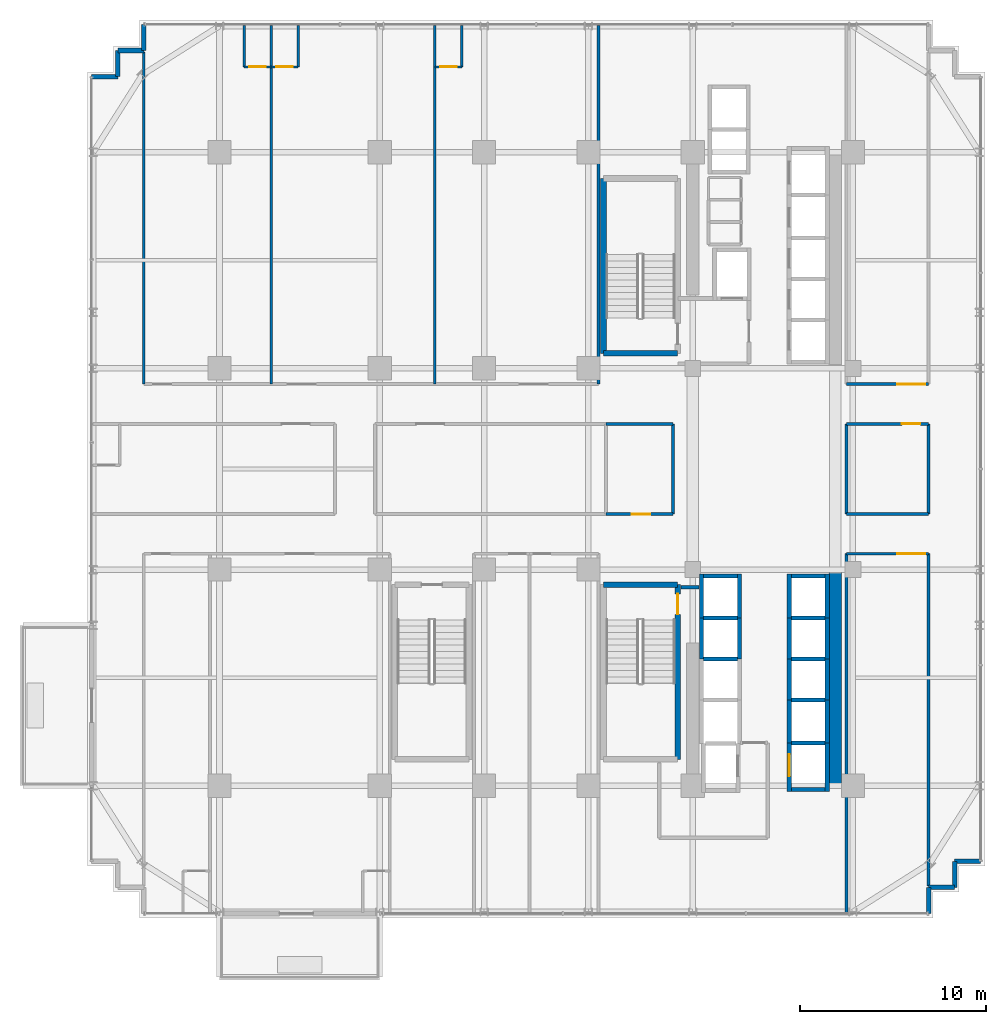
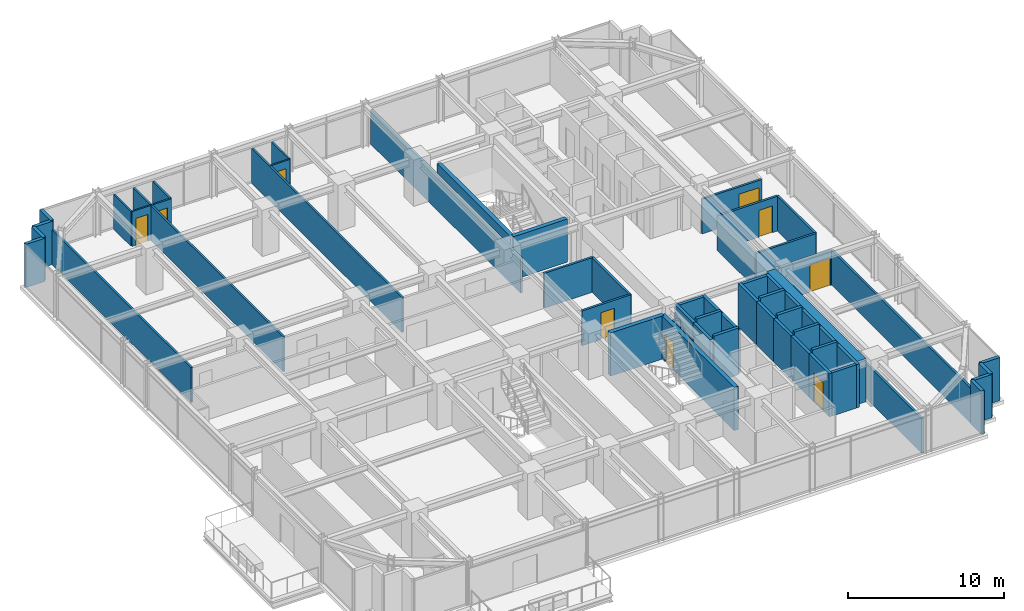
# One storey, part 27 of 32: 58 walls, 9 doors, 9 openings.
"""IFC4 building model written with IfcOpenShell, lengths in metres."""

import ifcopenshell
import ifcopenshell.guid

model = None  # the IFC model being written
_history = None  # IfcOwnerHistory: only IFC2X3 demands one
_inside = {}  # id of a spatial element -> (the spatial element, [elements in it])
_under = {}  # id of a project, library or spatial element -> (it, [spatial elements below it])
_declared = {}  # id of a project -> (the project, [libraries it declares])
_typed = {}  # id of a type object -> (the type object, [elements of that type])
_made_of = {}  # id of a material, layer set ... -> (it, [elements and type objects made of it])


def new_model(schema):
    """Start an empty IFC model of exactly this schema.

    Asked for "IFC4X3", IfcOpenShell would pick the latest addendum, in which some entities
    have other attributes; the version numbers below select the first issue.
    IFC2X3 requires an IfcOwnerHistory on every rooted entity: one is made here for all.
    """
    global model, _history
    if schema == "IFC4X3":
        model = ifcopenshell.file(schema_version=(4, 3, 0, 0))
    else:
        model = ifcopenshell.file(schema=schema)
    _inside.clear()
    _under.clear()
    _declared.clear()
    _typed.clear()
    _made_of.clear()
    _history = None
    if model.schema == "IFC2X3":
        org = make("IfcOrganization", Name="unknown")
        user = make(
            "IfcPersonAndOrganization",
            ThePerson=make("IfcPerson", FamilyName="unknown"),
            TheOrganization=org,
        )
        app = make(
            "IfcApplication",
            ApplicationDeveloper=org,
            Version="unknown",
            ApplicationFullName="unknown",
            ApplicationIdentifier="unknown",
        )
        _history = make(
            "IfcOwnerHistory",
            OwningUser=user,
            OwningApplication=app,
            ChangeAction="ADDED",
            CreationDate=0,
        )
    return model


def make(cls, **values):
    """One entity of the class cls with the attributes given. An attribute that is None is left unset."""
    return model.create_entity(
        cls, **{name: value for name, value in values.items() if value is not None}
    )


def rooted(cls, **values):
    """An entity with a GlobalId (a new one), such as an element, a storey or a relation."""
    return make(cls, GlobalId=ifcopenshell.guid.new(), OwnerHistory=_history, **values)


def si_unit(unit_type, name, prefix=None):
    """IfcSIUnit, for example si_unit("LENGTHUNIT", "METRE", prefix="MILLI")."""
    return make("IfcSIUnit", UnitType=unit_type, Prefix=prefix, Name=name)


def assignment(units):
    """IfcUnitAssignment: the units of a project."""
    return None if units is None else make("IfcUnitAssignment", Units=units)


def point(xyz):
    """IfcCartesianPoint."""
    return None if xyz is None else make("IfcCartesianPoint", Coordinates=xyz)


def direction(xyz):
    """IfcDirection."""
    return None if xyz is None else make("IfcDirection", DirectionRatios=xyz)


def frame(location, z_axis=None, x_axis=None):
    """IfcAxis2Placement3D, a coordinate frame: its origin and axes. An axis left out is left unset."""
    return make(
        "IfcAxis2Placement3D",
        Location=point(location),
        Axis=direction(z_axis),
        RefDirection=direction(x_axis),
    )


def frame_2d(location, x_axis=None):
    """IfcAxis2Placement2D, a coordinate frame in the plane: its origin and x axis."""
    return make(
        "IfcAxis2Placement2D", Location=point(location), RefDirection=direction(x_axis)
    )


def origin():
    """The frame at (0, 0, 0) with its axes left unset."""
    return frame((0.0, 0.0, 0.0))


def place(relative_to, where):
    """IfcLocalPlacement: puts the frame where relative to a parent placement (None: the world)."""
    return make(
        "IfcLocalPlacement", PlacementRelTo=relative_to, RelativePlacement=where
    )


def context(
    kind, dimensions, precision=None, world=None, true_north=None, identifier=None
):
    """IfcGeometricRepresentationContext, for example the 3D "Model" context."""
    return make(
        "IfcGeometricRepresentationContext",
        ContextIdentifier=identifier,
        ContextType=kind,
        CoordinateSpaceDimension=dimensions,
        Precision=precision,
        WorldCoordinateSystem=world,
        TrueNorth=true_north,
    )


def subcontext(parent, identifier, kind, view, scale=None):
    """IfcGeometricRepresentationSubContext, for example "Body" below "Model"."""
    return make(
        "IfcGeometricRepresentationSubContext",
        ContextIdentifier=identifier,
        ContextType=kind,
        ParentContext=parent,
        TargetScale=scale,
        TargetView=view,
    )


def project(units=None, contexts=None):
    """IfcProject with its units and contexts."""
    return rooted(
        "IfcProject",
        Name="project",
        RepresentationContexts=contexts,
        UnitsInContext=assignment(units),
    )


def spatial(cls, under=None, at=None, **own):
    """A site, building, storey or space (cls), placed at a placement, below another one or the project."""
    s = rooted(cls, ObjectPlacement=at, **own)
    if under is not None:
        _under.setdefault(under.id(), (under, []))[1].append(s)
    return s


def profile(cls, at=None, kind="AREA", **sizes):
    """A parametric profile (cls). Its sizes go by their IFC names, for example OverallWidth=200.0."""
    return make(cls, ProfileType=kind, Position=at, **sizes)


def rectangle(**sizes):
    """IfcRectangleProfileDef."""
    return profile("IfcRectangleProfileDef", **sizes)


def extrude(swept, where, along, depth):
    """IfcExtrudedAreaSolid: the profile swept, set in the frame where, extruded along a direction by depth."""
    return make(
        "IfcExtrudedAreaSolid",
        SweptArea=swept,
        Position=where,
        ExtrudedDirection=direction(along),
        Depth=depth,
    )


def shape(context_of_items, identifier, shape_type, items):
    """IfcShapeRepresentation: the items that make up one representation, for example the "Body"."""
    return make(
        "IfcShapeRepresentation",
        ContextOfItems=context_of_items,
        RepresentationIdentifier=identifier,
        RepresentationType=shape_type,
        Items=items,
    )


def source(mapping_origin, context_of_items, identifier, shape_type, items):
    """IfcRepresentationMap: a shape defined once, which mapped items show again and again."""
    return make(
        "IfcRepresentationMap",
        MappingOrigin=mapping_origin,
        MappedRepresentation=shape(context_of_items, identifier, shape_type, items),
    )


def transform(
    local_origin,
    x_axis=None,
    y_axis=None,
    z_axis=None,
    scale=None,
    scale2=None,
    scale3=None,
    uniform=True,
):
    """IfcCartesianTransformationOperator3D, or its non-uniform kind. x_axis, y_axis, z_axis: its Axis1, 2, 3."""
    if uniform:
        return make(
            "IfcCartesianTransformationOperator3D",
            Axis1=direction(x_axis),
            Axis2=direction(y_axis),
            LocalOrigin=point(local_origin),
            Scale=scale,
            Axis3=direction(z_axis),
        )
    return make(
        "IfcCartesianTransformationOperator3DnonUniform",
        Axis1=direction(x_axis),
        Axis2=direction(y_axis),
        LocalOrigin=point(local_origin),
        Scale=scale,
        Axis3=direction(z_axis),
        Scale2=scale2,
        Scale3=scale3,
    )


def mapped(mapping_source, mapping_target):
    """IfcMappedItem: shows the shape of a source again, moved by a transform."""
    return make(
        "IfcMappedItem", MappingSource=mapping_source, MappingTarget=mapping_target
    )


def material(Name=None, Category=None):
    """IfcMaterial."""
    return make("IfcMaterial", Name=Name, Category=Category)


def layer(
    of_material, thickness, ventilated=None, Name=None, Category=None, Priority=None
):
    """IfcMaterialLayer: one layer of a wall or slab, of a material (None: an air gap)."""
    return make(
        "IfcMaterialLayer",
        Material=of_material,
        LayerThickness=thickness,
        IsVentilated=ventilated,
        Name=Name,
        Category=Category,
        Priority=Priority,
    )


def layer_set(layers, Name=None):
    """IfcMaterialLayerSet."""
    return make("IfcMaterialLayerSet", MaterialLayers=layers, LayerSetName=Name)


def made_of(thing, what):
    """Note that an element or type object is made of a material, layer set ...; save() writes the relation."""
    if what is not None:
        _made_of.setdefault(what.id(), (what, []))[1].append(thing)
    return thing


def type_object(cls, material=None, **own):
    """A type object (cls), such as IfcWallType, which elements share."""
    return made_of(rooted(cls, **own), material)


def element(
    cls,
    number,
    at=None,
    inside=None,
    cuts=None,
    type_object=None,
    material=None,
    context=None,
    identifier="Body",
    shape_type=None,
    held_by="IfcProductDefinitionShape",
    body=None,
    shapes=None,
    **own,
):
    """One element of the class cls, such as IfcWall. Its Tag is "e" and its number.

    at: its placement. inside: the storey or other place that contains it. cuts: it is an
    opening in that element (IfcRelVoidsElement). A single representation is given by context,
    identifier, shape_type and body (its items); several are given by shapes. held_by: the class
    of the entity that holds the representations. save() writes the other relations.
    """
    e = rooted(cls, Tag="e%d" % number, ObjectPlacement=at, **own)
    if body is not None:
        shapes = [shape(context, identifier, shape_type, body)]
    if shapes is not None:
        e.Representation = make(held_by, Representations=shapes)
    if inside is not None:
        _inside.setdefault(inside.id(), (inside, []))[1].append(e)
    if cuts is not None:
        rooted(
            "IfcRelVoidsElement", RelatingBuildingElement=cuts, RelatedOpeningElement=e
        )
    if type_object is not None:
        _typed.setdefault(type_object.id(), (type_object, []))[1].append(e)
    return made_of(e, material)


def fill(opening, filler):
    """IfcRelFillsElement: the door or window that sits in an opening."""
    return rooted(
        "IfcRelFillsElement",
        RelatingOpeningElement=opening,
        RelatedBuildingElement=filler,
    )


def aggregate(whole, parts):
    """IfcRelAggregates: a whole, such as a stair, and the parts it consists of."""
    return rooted("IfcRelAggregates", RelatingObject=whole, RelatedObjects=parts)


def save(model, path):
    """Write the relations noted so far, then the file.

    IfcRelAggregates (storeys below a building ...), IfcRelContainedInSpatialStructure (elements
    in a storey), IfcRelDefinesByType, IfcRelAssociatesMaterial and IfcRelDeclares: one each for
    every whole, place, type object, material and project.
    """
    for whole, parts in _under.values():
        aggregate(whole, parts)
    for where, things in _inside.values():
        rooted(
            "IfcRelContainedInSpatialStructure",
            RelatedElements=things,
            RelatingStructure=where,
        )
    for kind, things in _typed.values():
        rooted("IfcRelDefinesByType", RelatedObjects=things, RelatingType=kind)
    for what, things in _made_of.values():
        rooted("IfcRelAssociatesMaterial", RelatedObjects=things, RelatingMaterial=what)
    for by, libraries in _declared.values():
        rooted("IfcRelDeclares", RelatingContext=by, RelatedDefinitions=libraries)
    model.write(path)


model = new_model("IFC4")

# Units and contexts
model_context = context("Model", 3, precision=1e-05, world=origin(), true_north=direction((0.0, 1.0)))
body_context = subcontext(model_context, "Body", "Model", "MODEL_VIEW")
ifc_project = project(units=[si_unit("LENGTHUNIT", "METRE"), si_unit("AREAUNIT", "SQUARE_METRE"), si_unit("VOLUMEUNIT", "CUBIC_METRE"), si_unit("PLANEANGLEUNIT", "RADIAN"), si_unit("MASSUNIT", "GRAM", prefix="KILO")], contexts=[model_context])

# Site, building, storey
site_placement = place(None, origin())
site = spatial("IfcSite", under=ifc_project, at=site_placement, CompositionType="ELEMENT")
building_placement = place(site_placement, origin())
building = spatial("IfcBuilding", under=site, at=building_placement, Name="Nahalor Promenade Grand Hotel", CompositionType="ELEMENT")
storey_placement = place(building_placement, frame((0.0, 0.0, 110.199951171875)))
storey = spatial("IfcBuildingStorey", under=building, at=storey_placement, Name="L27", CompositionType="ELEMENT", Elevation=110.199951171875)

# Walls
ifc_material_1 = material(Name="Concrete B-60 (C50/60)", Category="concrete")
ifc_layer_1 = layer(ifc_material_1, 0.64990234375)
ifc_layer_set_1 = layer_set([ifc_layer_1], Name="Concrete B-60 (C50/60)")
wall_type_1 = type_object("IfcWallType", Name="Wall-CoreShear-650", PredefinedType="SHEAR", material=ifc_layer_set_1)
shared_shape_1 = source(origin(), body_context, "Body", "SweptSolid", [
    extrude(rectangle(XDim=11.60009765625, YDim=0.64990234375, at=frame_2d((5.800048828125, 0.0))), origin(), (0.0, 0.0, 1.0), 3.380126953125),
])
wall_1_placement = place(storey_placement, frame((16.050048828125, -17.0, 0.0), z_axis=(0.0, 0.0, 1.0), x_axis=(0.0, 1.0, 0.0)))
element("IfcWall", 1, at=wall_1_placement, inside=storey, type_object=wall_type_1, Name="CWALL-L27-SE", PredefinedType="SHEAR", context=body_context, shape_type="MappedRepresentation", body=[
    mapped(shared_shape_1, transform((0.0, 0.0, 0.0), scale=1.0)),
])
ifc_material_2 = material(Name="Concrete B-50 (C40/50)", Category="concrete")
ifc_layer_2 = layer(ifc_material_2, 0.300048828125)
ifc_layer_set_2 = layer_set([ifc_layer_2], Name="Concrete B-50 (C40/50)")
wall_type_2 = type_object("IfcWallType", Name="Wall-ShaftShear-300", PredefinedType="SHEAR", material=ifc_layer_set_2)
shared_shape_2 = source(origin(), body_context, "Body", "SweptSolid", [
    extrude(rectangle(XDim=3.97998046875, YDim=0.300048828125, at=frame_2d((1.989990234375, 0.0))), origin(), (0.0, 0.0, 1.0), 3.380126953125),
])
for number, where, z_axis, x_axis, name in (
    (2, (3.610107421875, 6.2099609375, 0.0), (0.0, 0.0, 1.0), (1.0, 0.0, 0.0), "L27 Exit Stair ST1 Shaft Wall S"),
    (3, (3.610107421875, -6.2099609375, 0.0), (0.0, 0.0, 1.0), (1.0, 0.0, 0.0), "L27 Exit Stair ST2 Shaft Wall N"),
):
    element("IfcWall", number, at=place(storey_placement, frame(where, z_axis=z_axis, x_axis=x_axis)), inside=storey, type_object=wall_type_2, Name=name, PredefinedType="SHEAR", context=body_context, shape_type="MappedRepresentation", body=[
        mapped(shared_shape_2, transform((0.0, 0.0, 0.0), scale=1.0)),
    ])
shared_shape_3 = source(origin(), body_context, "Body", "SweptSolid", [
    extrude(rectangle(XDim=9.380126953125, YDim=0.300048828125, at=frame_2d((4.68994140625, 0.0))), origin(), (0.0, 0.0, 1.0), 3.380126953125),
])
wall_2_placement = place(storey_placement, frame((3.610107421875, 6.2099609375, 0.0), z_axis=(0.0, 0.0, 1.0), x_axis=(0.0, 1.0, 0.0)))
element("IfcWall", 4, at=wall_2_placement, inside=storey, type_object=wall_type_2, Name="L27 Exit Stair ST1 Shaft Wall W", PredefinedType="SHEAR", context=body_context, shape_type="MappedRepresentation", body=[
    mapped(shared_shape_3, transform((0.0, 0.0, 0.0), scale=1.0)),
])

# Wall, opening, door
wall_3_placement = place(storey_placement, frame((7.590087890625, -15.590087890625, 0.0), z_axis=(0.0, 0.0, 1.0), x_axis=(0.0, 1.0, 0.0)))
wall_3 = element("IfcWall", 5, at=wall_3_placement, inside=storey, type_object=wall_type_2, Name="L27 Exit Stair ST2 Shaft Wall E", PredefinedType="SHEAR", context=body_context, shape_type="MappedRepresentation", body=[
    mapped(shared_shape_3, transform((0.0, 0.0, 0.0), scale=1.0)),
])
opening_1_placement = place(wall_3_placement, frame((7.7900390625, 0.0, 0.0)))
opening_1 = element("IfcOpeningElement", 6, at=opening_1_placement, cuts=wall_3, Name="Opening D-ST1", PredefinedType="OPENING", context=body_context, shape_type="SweptSolid", body=[
    extrude(rectangle(XDim=1.10009765625, YDim=2.14990234375, at=frame_2d((0.550048828125, 1.074951171875))), frame((0.0, 0.159912109375, 0.0), z_axis=(0.0, -1.0, 0.0), x_axis=(1.0, 0.0, 0.0)), (0.0, 0.0, 1.0), 0.320068359375),
])
ifc_material_3 = material(Name="Steel S355JR", Category="steel")
door_type_1 = type_object("IfcDoorType", Name="Door-StairFire-1100", OperationType="NOTDEFINED", PredefinedType="DOOR", material=ifc_material_3)
shared_shape_4 = source(origin(), body_context, "Body", "SweptSolid", [
    extrude(rectangle(XDim=1.10009765625, YDim=2.14990234375, at=frame_2d((0.550048828125, 1.074951171875))), frame((0.0, 0.02490234375, 0.0), z_axis=(0.0, -1.0, 0.0), x_axis=(1.0, 0.0, 0.0)), (0.0, 0.0, 1.0), 0.050048828125),
])
door_1_placement = place(opening_1_placement, origin())
door_1 = element("IfcDoor", 7, at=door_1_placement, inside=storey, type_object=door_type_1, Name="DR-STAIR-ST2-L27", OperationType="SINGLE_SWING_RIGHT", OverallHeight=2.14990234375, OverallWidth=1.10009765625, PredefinedType="DOOR", context=body_context, shape_type="MappedRepresentation", body=[
    mapped(shared_shape_4, transform((0.0, 0.0, 0.0), scale=1.0)),
])
fill(opening_1, door_1)

# Walls
ifc_layer_3 = layer(ifc_material_2, 0.219970703125)
ifc_layer_set_3 = layer_set([ifc_layer_3], Name="Concrete B-50 (C40/50)")
wall_type_3 = type_object("IfcWallType", Name="Wall-LiftShaft-220", PredefinedType="SHEAR", material=ifc_layer_set_3)
shared_shape_5 = source(origin(), body_context, "Body", "SweptSolid", [
    extrude(rectangle(XDim=1.820068359375, YDim=0.219970703125, at=frame_2d((0.91015625, 0.0))), origin(), (0.0, 0.0, 1.0), 3.650146484375),
])
for number, where, z_axis, x_axis, name in (
    (8, (13.68994140625, -8.0, 0.0), (0.0, 0.0, 1.0), (1.0, 0.0, 0.0), "L27 Lift PL6 Hoistway Wall N"),
    (9, (13.68994140625, -10.199951171875, 0.0), (0.0, 0.0, 1.0), (1.0, 0.0, 0.0), "L27 Lift PL7 Hoistway Wall N"),
    (10, (13.68994140625, -12.39990234375, 0.0), (0.0, 0.0, 1.0), (1.0, 0.0, 0.0), "L27 Lift PL8 Hoistway Wall N"),
    (11, (8.989990234375, -8.0, 0.0), (0.0, 0.0, 1.0), (1.0, 0.0, 0.0), "L27 Lift PL10 Hoistway Wall N"),
    (12, (8.989990234375, -10.199951171875, 0.0), (0.0, 0.0, 1.0), (1.0, 0.0, 0.0), "L27 Lift PL11 Hoistway Wall N"),
    (13, (13.68994140625, -14.699951171875, 0.0), (0.0, 0.0, 1.0), (1.0, 0.0, 0.0), "L27 Lift SV2 Hoistway Wall N"),
):
    element("IfcWall", number, at=place(storey_placement, frame(where, z_axis=z_axis, x_axis=x_axis)), inside=storey, type_object=wall_type_3, Name=name, PredefinedType="SHEAR", context=body_context, shape_type="MappedRepresentation", body=[
        mapped(shared_shape_5, transform((0.0, 0.0, 0.0), scale=1.0)),
    ])
shared_shape_6 = source(origin(), body_context, "Body", "SweptSolid", [
    extrude(rectangle(XDim=2.360107421875, YDim=0.219970703125, at=frame_2d((1.18017578125, 0.0))), origin(), (0.0, 0.0, 1.0), 3.380126953125),
])
for number, where, z_axis, x_axis, name in (
    (14, (13.580078125, -8.0, 0.0), (0.0, 0.0, 1.0), (0.0, 1.0, 0.0), "L27 Lift PL5 Hoistway Wall W"),
    (15, (15.6201171875, -8.0, 0.0), (0.0, 0.0, 1.0), (0.0, 1.0, 0.0), "L27 Lift PL5 Hoistway Wall E"),
    (16, (8.8798828125, -8.0, 0.0), (0.0, 0.0, 1.0), (0.0, 1.0, 0.0), "L27 Lift PL9 Hoistway Wall W"),
    (17, (10.919921875, -8.0, 0.0), (0.0, 0.0, 1.0), (0.0, 1.0, 0.0), "L27 Lift PL9 Hoistway Wall E"),
):
    element("IfcWall", number, at=place(storey_placement, frame(where, z_axis=z_axis, x_axis=x_axis)), inside=storey, type_object=wall_type_3, Name=name, PredefinedType="SHEAR", context=body_context, shape_type="MappedRepresentation", body=[
        mapped(shared_shape_6, transform((0.0, 0.0, 0.0), scale=1.0)),
    ])
shared_shape_7 = source(origin(), body_context, "Body", "SweptSolid", [
    extrude(rectangle(XDim=1.820068359375, YDim=0.219970703125, at=frame_2d((0.91015625, 0.0))), origin(), (0.0, 0.0, 1.0), 3.380126953125),
])
for number, where, z_axis, x_axis, name in (
    (18, (13.68994140625, -5.75, 0.0), (0.0, 0.0, 1.0), (1.0, 0.0, 0.0), "L27 Lift PL5 Hoistway Wall N"),
    (19, (8.989990234375, -5.75, 0.0), (0.0, 0.0, 1.0), (1.0, 0.0, 0.0), "L27 Lift PL9 Hoistway Wall N"),
    (20, (13.68994140625, -17.199951171875, 0.0), (0.0, 0.0, 1.0), (1.0, 0.0, 0.0), "L27 Lift SV2 Hoistway Wall S"),
):
    element("IfcWall", number, at=place(storey_placement, frame(where, z_axis=z_axis, x_axis=x_axis)), inside=storey, type_object=wall_type_3, Name=name, PredefinedType="SHEAR", context=body_context, shape_type="MappedRepresentation", body=[
        mapped(shared_shape_7, transform((0.0, 0.0, 0.0), scale=1.0)),
    ])
shared_shape_8 = source(origin(), body_context, "Body", "SweptSolid", [
    extrude(rectangle(XDim=2.199951171875, YDim=0.219970703125, at=frame_2d((1.10009765625, 0.0))), origin(), (0.0, 0.0, 1.0), 3.380126953125),
])
for number, where, z_axis, x_axis, name in (
    (21, (13.580078125, -10.199951171875, 0.0), (0.0, 0.0, 1.0), (0.0, 1.0, 0.0), "L27 Lift PL6 Hoistway Wall W"),
    (22, (15.6201171875, -10.199951171875, 0.0), (0.0, 0.0, 1.0), (0.0, 1.0, 0.0), "L27 Lift PL6 Hoistway Wall E"),
    (23, (13.580078125, -12.39990234375, 0.0), (0.0, 0.0, 1.0), (0.0, 1.0, 0.0), "L27 Lift PL7 Hoistway Wall W"),
    (24, (15.6201171875, -12.39990234375, 0.0), (0.0, 0.0, 1.0), (0.0, 1.0, 0.0), "L27 Lift PL7 Hoistway Wall E"),
    (25, (8.8798828125, -10.199951171875, 0.0), (0.0, 0.0, 1.0), (0.0, 1.0, 0.0), "L27 Lift PL10 Hoistway Wall W"),
    (26, (10.919921875, -10.199951171875, 0.0), (0.0, 0.0, 1.0), (0.0, 1.0, 0.0), "L27 Lift PL10 Hoistway Wall E"),
):
    element("IfcWall", number, at=place(storey_placement, frame(where, z_axis=z_axis, x_axis=x_axis)), inside=storey, type_object=wall_type_3, Name=name, PredefinedType="SHEAR", context=body_context, shape_type="MappedRepresentation", body=[
        mapped(shared_shape_8, transform((0.0, 0.0, 0.0), scale=1.0)),
    ])
shared_shape_9 = source(origin(), body_context, "Body", "SweptSolid", [
    extrude(rectangle(XDim=2.300048828125, YDim=0.219970703125, at=frame_2d((1.14990234375, 0.0))), origin(), (0.0, 0.0, 1.0), 3.380126953125),
])
for number, where, z_axis, x_axis, name in (
    (27, (13.580078125, -14.699951171875, 0.0), (0.0, 0.0, 1.0), (0.0, 1.0, 0.0), "L27 Lift PL8 Hoistway Wall W"),
    (28, (15.6201171875, -14.699951171875, 0.0), (0.0, 0.0, 1.0), (0.0, 1.0, 0.0), "L27 Lift PL8 Hoistway Wall E"),
):
    element("IfcWall", number, at=place(storey_placement, frame(where, z_axis=z_axis, x_axis=x_axis)), inside=storey, type_object=wall_type_3, Name=name, PredefinedType="SHEAR", context=body_context, shape_type="MappedRepresentation", body=[
        mapped(shared_shape_9, transform((0.0, 0.0, 0.0), scale=1.0)),
    ])

# Wall, opening, door
shared_shape_10 = source(origin(), body_context, "Body", "SweptSolid", [
    extrude(rectangle(XDim=2.610107421875, YDim=0.219970703125, at=frame_2d((1.30517578125, 0.0))), origin(), (0.0, 0.0, 1.0), 3.380126953125),
])
wall_4_placement = place(storey_placement, frame((13.580078125, -17.31005859375, 0.0), z_axis=(0.0, 0.0, 1.0), x_axis=(0.0, 1.0, 0.0)))
wall_4 = element("IfcWall", 29, at=wall_4_placement, inside=storey, type_object=wall_type_3, Name="L27 Lift SV2 Hoistway Wall W", PredefinedType="SHEAR", context=body_context, shape_type="MappedRepresentation", body=[
    mapped(shared_shape_10, transform((0.0, 0.0, 0.0), scale=1.0)),
])
opening_2_placement = place(wall_4_placement, frame((0.81005859375, 0.0, 0.0)))
opening_2 = element("IfcOpeningElement", 30, at=opening_2_placement, cuts=wall_4, Name="Opening LD-03", PredefinedType="OPENING", context=body_context, shape_type="SweptSolid", body=[
    extrude(rectangle(XDim=1.199951171875, YDim=2.199951171875, at=frame_2d((0.60009765625, 1.10009765625))), frame((0.0, 0.119873046875, 0.0), z_axis=(0.0, -1.0, 0.0), x_axis=(1.0, 0.0, 0.0)), (0.0, 0.0, 1.0), 0.239990234375),
])
door_type_2 = type_object("IfcDoorType", Name="Door-LiftService-1200", OperationType="DOUBLE_DOOR_SLIDING", PredefinedType="DOOR", material=ifc_material_3)
shared_shape_11 = source(origin(), body_context, "Body", "SweptSolid", [
    extrude(rectangle(XDim=1.199951171875, YDim=2.199951171875, at=frame_2d((0.60009765625, 1.10009765625))), frame((0.0, 0.02490234375, 0.0), z_axis=(0.0, -1.0, 0.0), x_axis=(1.0, 0.0, 0.0)), (0.0, 0.0, 1.0), 0.050048828125),
])
door_2_placement = place(opening_2_placement, origin())
door_2 = element("IfcDoor", 31, at=door_2_placement, inside=storey, type_object=door_type_2, Name="DR-LIFT-SV2-L27", OperationType="DOUBLE_DOOR_SLIDING", OverallHeight=2.199951171875, OverallWidth=1.199951171875, PredefinedType="DOOR", context=body_context, shape_type="MappedRepresentation", body=[
    mapped(shared_shape_11, transform((0.0, 0.0, 0.0), scale=1.0)),
])
fill(opening_2, door_2)

# Walls
wall_5_placement = place(storey_placement, frame((15.6201171875, -17.31005859375, 0.0), z_axis=(0.0, 0.0, 1.0), x_axis=(0.0, 1.0, 0.0)))
element("IfcWall", 32, at=wall_5_placement, inside=storey, type_object=wall_type_3, Name="L27 Lift SV2 Hoistway Wall E", PredefinedType="SHEAR", context=body_context, shape_type="MappedRepresentation", body=[
    mapped(shared_shape_10, transform((0.0, 0.0, 0.0), scale=1.0)),
])
ifc_material_4 = material(Name="Concrete B-40 (C32/40)", Category="concrete")
ifc_layer_4 = layer(ifc_material_4, 0.25)
ifc_layer_set_4 = layer_set([ifc_layer_4], Name="Concrete B-40 (C32/40)")
wall_type_4 = type_object("IfcWallType", Name="Wall-BronzePier-250", PredefinedType="STANDARD", material=ifc_layer_set_4)
shared_shape_12 = source(origin(), body_context, "Body", "SweptSolid", [
    extrude(rectangle(XDim=1.400146484375, YDim=0.25, at=frame_2d((0.7001953125, 0.0))), origin(), (0.0, 0.0, 1.0), 3.380126953125),
])
for number, where, z_axis, x_axis, name in (
    (33, (21.06005859375, -23.860107421875, 0.0), (0.0, 0.0, 1.0), (0.0, 1.0, 0.0), "W-L27-SR-01"),
    (34, (22.4599609375, -21.06005859375, 0.0), (0.0, 0.0, 1.0), (1.0, 0.0, 0.0), "W-L27-SR-04"),
    (35, (-21.06005859375, 22.4599609375, 0.0), (0.0, 0.0, 1.0), (0.0, 1.0, 0.0), "W-L27-SR-09"),
    (36, (-23.860107421875, 21.06005859375, 0.0), (0.0, 0.0, 1.0), (1.0, 0.0, 0.0), "W-L27-SR-12"),
):
    element("IfcWall", number, at=place(storey_placement, frame(where, z_axis=z_axis, x_axis=x_axis)), inside=storey, type_object=wall_type_4, Name=name, PredefinedType="STANDARD", context=body_context, shape_type="MappedRepresentation", body=[
        mapped(shared_shape_12, transform((0.0, 0.0, 0.0), scale=1.0)),
    ])
shared_shape_13 = source(origin(), body_context, "Body", "SweptSolid", [
    extrude(rectangle(XDim=1.39990234375, YDim=0.25, at=frame_2d((0.699951171875, 0.0))), origin(), (0.0, 0.0, 1.0), 3.380126953125),
])
for number, where, z_axis, x_axis, name in (
    (37, (21.06005859375, -22.4599609375, 0.0), (0.0, 0.0, 1.0), (1.0, 0.0, 0.0), "W-L27-SR-02"),
    (38, (22.4599609375, -22.4599609375, 0.0), (0.0, 0.0, 1.0), (0.0, 1.0, 0.0), "W-L27-SR-03"),
    (39, (-22.4599609375, 22.4599609375, 0.0), (0.0, 0.0, 1.0), (1.0, 0.0, 0.0), "W-L27-SR-10"),
    (40, (-22.4599609375, 21.06005859375, 0.0), (0.0, 0.0, 1.0), (0.0, 1.0, 0.0), "W-L27-SR-11"),
):
    element("IfcWall", number, at=place(storey_placement, frame(where, z_axis=z_axis, x_axis=x_axis)), inside=storey, type_object=wall_type_4, Name=name, PredefinedType="STANDARD", context=body_context, shape_type="MappedRepresentation", body=[
        mapped(shared_shape_13, transform((0.0, 0.0, 0.0), scale=1.0)),
    ])
ifc_layer_5 = layer(ifc_material_4, 0.199951171875)
ifc_layer_set_5 = layer_set([ifc_layer_5], Name="Concrete B-40 (C32/40)")
wall_type_5 = type_object("IfcWallType", Name="Wall-PartFire-200", PredefinedType="PARTITIONING", material=ifc_layer_set_5)
shared_shape_14 = source(origin(), body_context, "Body", "SweptSolid", [
    extrude(rectangle(XDim=0.969970703125, YDim=0.199951171875, at=frame_2d((0.48486328125, 0.0))), origin(), (0.0, 0.0, 1.0), 2.719970703125),
])
wall_6_placement = place(storey_placement, frame((7.77001953125, -6.35009765625, 0.0), z_axis=(0.0, 0.0, 1.0), x_axis=(1.0, 0.0, 0.0)))
element("IfcWall", 41, at=wall_6_placement, inside=storey, type_object=wall_type_5, Name="W-L27-FF2-N2", PredefinedType="PARTITIONING", context=body_context, shape_type="MappedRepresentation", body=[
    mapped(shared_shape_14, transform((0.0, 0.0, 0.0), scale=1.0)),
])

# Wall, opening, door
ifc_material_5 = material(Name="Acoustic Mineral Gypsum", Category="gypsum")
ifc_layer_6 = layer(ifc_material_5, 0.159912109375)
ifc_layer_set_6 = layer_set([ifc_layer_6], Name="Acoustic Mineral Gypsum")
wall_type_6 = type_object("IfcWallType", Name="Wall-PartCorridor-160", PredefinedType="PARTITIONING", material=ifc_layer_set_6)
shared_shape_15 = source(origin(), body_context, "Body", "SweptSolid", [
    extrude(rectangle(XDim=4.41015625, YDim=0.159912109375, at=frame_2d((2.205078125, 0.0))), origin(), (0.0, 0.0, 1.0), 2.719970703125),
])
wall_7_placement = place(storey_placement, frame((16.64990234375, 4.550048828125, 0.0), z_axis=(0.0, 0.0, 1.0), x_axis=(1.0, 0.0, 0.0)))
wall_7 = element("IfcWall", 42, at=wall_7_placement, inside=storey, type_object=wall_type_6, Name="W-L27-ENE-S", PredefinedType="PARTITIONING", context=body_context, shape_type="MappedRepresentation", body=[
    mapped(shared_shape_15, transform((0.0, 0.0, 0.0), scale=1.0)),
])
opening_3_placement = place(wall_7_placement, frame((2.721923828125, 0.0, 0.0)))
opening_3 = element("IfcOpeningElement", 43, at=opening_3_placement, cuts=wall_7, Name="Opening D-02", PredefinedType="OPENING", context=body_context, shape_type="SweptSolid", body=[
    extrude(rectangle(XDim=1.5, YDim=2.14990234375, at=frame_2d((0.75, 1.074951171875))), frame((0.0, 0.08984375, 0.0), z_axis=(0.0, -1.0, 0.0), x_axis=(1.0, 0.0, 0.0)), (0.0, 0.0, 1.0), 0.179931640625),
])
ifc_material_6 = material(Name="Fire-Rated Timber Composite", Category="wood")
door_type_3 = type_object("IfcDoorType", Name="Door-SuiteDouble-1500", OperationType="DOUBLE_DOOR_SINGLE_SWING", PredefinedType="DOOR", material=ifc_material_6)
shared_shape_16 = source(origin(), body_context, "Body", "SweptSolid", [
    extrude(rectangle(XDim=1.5, YDim=2.14990234375, at=frame_2d((0.75, 1.074951171875))), frame((0.0, 0.02490234375, 0.0), z_axis=(0.0, -1.0, 0.0), x_axis=(1.0, 0.0, 0.0)), (0.0, 0.0, 1.0), 0.050048828125),
])
door_3_placement = place(opening_3_placement, origin())
door_3 = element("IfcDoor", 44, at=door_3_placement, inside=storey, type_object=door_type_3, Name="DR-L27-ENE", OperationType="DOUBLE_DOOR_SINGLE_SWING", OverallHeight=2.14990234375, OverallWidth=1.5, PredefinedType="DOOR", context=body_context, shape_type="MappedRepresentation", body=[
    mapped(shared_shape_16, transform((0.0, 0.0, 0.0), scale=1.0)),
])
fill(opening_3, door_3)

wall_8_placement = place(storey_placement, frame((16.64990234375, -4.550048828125, 0.0), z_axis=(0.0, 0.0, 1.0), x_axis=(1.0, 0.0, 0.0)))
wall_8 = element("IfcWall", 45, at=wall_8_placement, inside=storey, type_object=wall_type_6, Name="W-L27-ESE-N", PredefinedType="PARTITIONING", context=body_context, shape_type="MappedRepresentation", body=[
    mapped(shared_shape_15, transform((0.0, 0.0, 0.0), scale=1.0)),
])
opening_4_placement = place(wall_8_placement, frame((2.721923828125, 0.0, 0.0)))
opening_4 = element("IfcOpeningElement", 46, at=opening_4_placement, cuts=wall_8, Name="Opening D-02", PredefinedType="OPENING", context=body_context, shape_type="SweptSolid", body=[
    extrude(rectangle(XDim=1.5, YDim=2.14990234375, at=frame_2d((0.75, 1.074951171875))), frame((0.0, 0.08984375, 0.0), z_axis=(0.0, -1.0, 0.0), x_axis=(1.0, 0.0, 0.0)), (0.0, 0.0, 1.0), 0.179931640625),
])
door_4_placement = place(opening_4_placement, frame((1.5, 0.0, 0.0), z_axis=(0.0, 0.0, 1.0), x_axis=(-1.0, 0.0, 0.0)))
door_4 = element("IfcDoor", 47, at=door_4_placement, inside=storey, type_object=door_type_3, Name="DR-L27-ESE", OperationType="DOUBLE_DOOR_SINGLE_SWING", OverallHeight=2.14990234375, OverallWidth=1.5, PredefinedType="DOOR", context=body_context, shape_type="MappedRepresentation", body=[
    mapped(shared_shape_16, transform((0.0, 0.0, 0.0), scale=1.0)),
])
fill(opening_4, door_4)

# Wall
wall_9_placement = place(storey_placement, frame((16.64990234375, -2.419921875, 0.0), z_axis=(0.0, 0.0, 1.0), x_axis=(1.0, 0.0, 0.0)))
element("IfcWall", 48, at=wall_9_placement, inside=storey, type_object=wall_type_6, Name="W-L27-ECW-S", PredefinedType="PARTITIONING", context=body_context, shape_type="MappedRepresentation", body=[
    mapped(shared_shape_15, transform((0.0, 0.0, 0.0), scale=1.0)),
])

# Wall, opening, door
wall_10_placement = place(storey_placement, frame((16.64990234375, 2.419921875, 0.0), z_axis=(0.0, 0.0, 1.0), x_axis=(1.0, 0.0, 0.0)))
wall_10 = element("IfcWall", 49, at=wall_10_placement, inside=storey, type_object=wall_type_6, Name="W-L27-ECW-N", PredefinedType="PARTITIONING", context=body_context, shape_type="MappedRepresentation", body=[
    mapped(shared_shape_15, transform((0.0, 0.0, 0.0), scale=1.0)),
])
opening_5_placement = place(wall_10_placement, frame((2.971923828125, 0.0, 0.0)))
opening_5 = element("IfcOpeningElement", 50, at=opening_5_placement, cuts=wall_10, Name="Opening D-04", PredefinedType="OPENING", context=body_context, shape_type="SweptSolid", body=[
    extrude(rectangle(XDim=1.0, YDim=2.10009765625, at=frame_2d((0.5, 1.050048828125))), frame((0.0, 0.08984375, 0.0), z_axis=(0.0, -1.0, 0.0), x_axis=(1.0, 0.0, 0.0)), (0.0, 0.0, 1.0), 0.179931640625),
])
door_type_4 = type_object("IfcDoorType", Name="Door-ServiceFire-1000", OperationType="NOTDEFINED", PredefinedType="DOOR", material=ifc_material_3)
shared_shape_17 = source(origin(), body_context, "Body", "SweptSolid", [
    extrude(rectangle(XDim=1.0, YDim=2.10009765625, at=frame_2d((0.5, 1.050048828125))), frame((0.0, 0.02490234375, 0.0), z_axis=(0.0, -1.0, 0.0), x_axis=(1.0, 0.0, 0.0)), (0.0, 0.0, 1.0), 0.050048828125),
])
door_5_placement = place(opening_5_placement, frame((1.0, 0.0, 0.0), z_axis=(0.0, 0.0, 1.0), x_axis=(-1.0, 0.0, 0.0)))
door_5 = element("IfcDoor", 51, at=door_5_placement, inside=storey, type_object=door_type_4, Name="DR-L27-ECW", OperationType="SINGLE_SWING_LEFT", OverallHeight=2.10009765625, OverallWidth=1.0, PredefinedType="DOOR", context=body_context, shape_type="MappedRepresentation", body=[
    mapped(shared_shape_17, transform((0.0, 0.0, 0.0), scale=1.0)),
])
fill(opening_5, door_5)

# Walls
shared_shape_18 = source(origin(), body_context, "Body", "SweptSolid", [
    extrude(rectangle(XDim=19.25, YDim=0.159912109375, at=frame_2d((9.625, 0.0))), origin(), (0.0, 0.0, 1.0), 2.719970703125),
])
wall_11_placement = place(storey_placement, frame((16.64990234375, -23.800048828125, 0.0), z_axis=(0.0, 0.0, 1.0), x_axis=(0.0, 1.0, 0.0)))
element("IfcWall", 52, at=wall_11_placement, inside=storey, type_object=wall_type_6, Name="W-L27-ESE-W", PredefinedType="PARTITIONING", context=body_context, shape_type="MappedRepresentation", body=[
    mapped(shared_shape_18, transform((0.0, 0.0, 0.0), scale=1.0)),
])
shared_shape_19 = source(origin(), body_context, "Body", "SweptSolid", [
    extrude(rectangle(XDim=17.829833984375, YDim=0.159912109375, at=frame_2d((8.9150390625, 0.0))), origin(), (0.0, 0.0, 1.0), 2.719970703125),
])
wall_12_placement = place(storey_placement, frame((21.06005859375, -22.3798828125, 0.0), z_axis=(0.0, 0.0, 1.0), x_axis=(0.0, 1.0, 0.0)))
element("IfcWall", 53, at=wall_12_placement, inside=storey, type_object=wall_type_6, Name="W-L27-ESE-E", PredefinedType="PARTITIONING", context=body_context, shape_type="MappedRepresentation", body=[
    mapped(shared_shape_19, transform((0.0, 0.0, 0.0), scale=1.0)),
])
ifc_layer_7 = layer(ifc_material_5, 0.139892578125)
ifc_layer_set_7 = layer_set([ifc_layer_7], Name="Acoustic Mineral Gypsum")
wall_type_7 = type_object("IfcWallType", Name="Wall-PartSuite-140", PredefinedType="PARTITIONING", material=ifc_layer_set_7)
shared_shape_20 = source(origin(), body_context, "Body", "SweptSolid", [
    extrude(rectangle(XDim=17.829833984375, YDim=0.139892578125, at=frame_2d((8.9150390625, 0.0))), origin(), (0.0, 0.0, 1.0), 2.719970703125),
])
wall_13_placement = place(storey_placement, frame((-21.06005859375, 4.550048828125, 0.0), z_axis=(0.0, 0.0, 1.0), x_axis=(0.0, 1.0, 0.0)))
element("IfcWall", 54, at=wall_13_placement, inside=storey, type_object=wall_type_7, Name="W-L27-NW-ENDW", PredefinedType="PARTITIONING", context=body_context, shape_type="MappedRepresentation", body=[
    mapped(shared_shape_20, transform((0.0, 0.0, 0.0), scale=1.0)),
])
shared_shape_21 = source(origin(), body_context, "Body", "SweptSolid", [
    extrude(rectangle(XDim=19.25, YDim=0.139892578125, at=frame_2d((9.625, 0.0))), origin(), (0.0, 0.0, 1.0), 2.719970703125),
])
for number, where, z_axis, x_axis, name in (
    (55, (3.340087890625, 4.550048828125, 0.0), (0.0, 0.0, 1.0), (0.0, 1.0, 0.0), "W-L27-NW-ENDE"),
    (56, (-14.22802734375, 4.550048828125, 0.0), (0.0, 0.0, 1.0), (0.0, 1.0, 0.0), "W-L27-NP-1"),
    (57, (-5.444091796875, 4.550048828125, 0.0), (0.0, 0.0, 1.0), (0.0, 1.0, 0.0), "W-L27-NP-2"),
):
    element("IfcWall", number, at=place(storey_placement, frame(where, z_axis=z_axis, x_axis=x_axis)), inside=storey, type_object=wall_type_7, Name=name, PredefinedType="PARTITIONING", context=body_context, shape_type="MappedRepresentation", body=[
        mapped(shared_shape_21, transform((0.0, 0.0, 0.0), scale=1.0)),
    ])

# Wall, opening, door
ifc_layer_8 = layer(ifc_material_5, 0.1201171875)
ifc_layer_set_8 = layer_set([ifc_layer_8], Name="Acoustic Mineral Gypsum")
wall_type_8 = type_object("IfcWallType", Name="Wall-PartBath-120", PredefinedType="PARTITIONING", material=ifc_layer_set_8)
shared_shape_22 = source(origin(), body_context, "Body", "SweptSolid", [
    extrude(rectangle(XDim=1.4501953125, YDim=0.1201171875, at=frame_2d((0.72509765625, 0.0))), origin(), (0.0, 0.0, 1.0), 2.719970703125),
])
wall_14_placement = place(storey_placement, frame((-5.444091796875, 21.580078125, 0.0), z_axis=(0.0, 0.0, 1.0), x_axis=(1.0, 0.0, 0.0)))
wall_14 = element("IfcWall", 58, at=wall_14_placement, inside=storey, type_object=wall_type_8, Name="W-L27-N3-BH", PredefinedType="PARTITIONING", context=body_context, shape_type="MappedRepresentation", body=[
    mapped(shared_shape_22, transform((0.0, 0.0, 0.0), scale=1.0)),
])
opening_6_placement = place(wall_14_placement, frame((0.284912109375, 0.0, 0.0)))
opening_6 = element("IfcOpeningElement", 59, at=opening_6_placement, cuts=wall_14, Name="Opening D-03", PredefinedType="OPENING", context=body_context, shape_type="SweptSolid", body=[
    extrude(rectangle(XDim=0.8798828125, YDim=2.10009765625, at=frame_2d((0.43994140625, 1.050048828125))), frame((0.0, 0.070068359375, 0.0), z_axis=(0.0, -1.0, 0.0), x_axis=(1.0, 0.0, 0.0)), (0.0, 0.0, 1.0), 0.14013671875),
])
door_type_5 = type_object("IfcDoorType", Name="Door-BathSwing-880", OperationType="NOTDEFINED", PredefinedType="DOOR", material=ifc_material_6)
shared_shape_23 = source(origin(), body_context, "Body", "SweptSolid", [
    extrude(rectangle(XDim=0.8798828125, YDim=2.10009765625, at=frame_2d((0.43994140625, 1.050048828125))), frame((0.0, 0.02490234375, 0.0), z_axis=(0.0, -1.0, 0.0), x_axis=(1.0, 0.0, 0.0)), (0.0, 0.0, 1.0), 0.050048828125),
])
door_6_placement = place(opening_6_placement, origin())
door_6 = element("IfcDoor", 60, at=door_6_placement, inside=storey, type_object=door_type_5, Name="DR-L27-N3-BATH", OperationType="SINGLE_SWING_LEFT", OverallHeight=2.10009765625, OverallWidth=0.8798828125, PredefinedType="DOOR", context=body_context, shape_type="MappedRepresentation", body=[
    mapped(shared_shape_23, transform((0.0, 0.0, 0.0), scale=1.0)),
])
fill(opening_6, door_6)

# Walls
shared_shape_24 = source(origin(), body_context, "Body", "SweptSolid", [
    extrude(rectangle(XDim=2.219970703125, YDim=0.1201171875, at=frame_2d((1.10986328125, 0.0))), origin(), (0.0, 0.0, 1.0), 2.719970703125),
])
for number, where, z_axis, x_axis, name in (
    (61, (-15.677978515625, 21.580078125, 0.0), (0.0, 0.0, 1.0), (0.0, 1.0, 0.0), "W-L27-N1-BV"),
    (62, (-12.778076171875, 21.580078125, 0.0), (0.0, 0.0, 1.0), (0.0, 1.0, 0.0), "W-L27-N2-BV"),
    (63, (-3.993896484375, 21.580078125, 0.0), (0.0, 0.0, 1.0), (0.0, 1.0, 0.0), "W-L27-N3-BV"),
):
    element("IfcWall", number, at=place(storey_placement, frame(where, z_axis=z_axis, x_axis=x_axis)), inside=storey, type_object=wall_type_8, Name=name, PredefinedType="PARTITIONING", context=body_context, shape_type="MappedRepresentation", body=[
        mapped(shared_shape_24, transform((0.0, 0.0, 0.0), scale=1.0)),
    ])

# Wall, opening, door
shared_shape_25 = source(origin(), body_context, "Body", "SweptSolid", [
    extrude(rectangle(XDim=1.449951171875, YDim=0.1201171875, at=frame_2d((0.72509765625, 0.0))), origin(), (0.0, 0.0, 1.0), 2.719970703125),
])
wall_15_placement = place(storey_placement, frame((-15.677978515625, 21.580078125, 0.0), z_axis=(0.0, 0.0, 1.0), x_axis=(1.0, 0.0, 0.0)))
wall_15 = element("IfcWall", 64, at=wall_15_placement, inside=storey, type_object=wall_type_8, Name="W-L27-N1-BH", PredefinedType="PARTITIONING", context=body_context, shape_type="MappedRepresentation", body=[
    mapped(shared_shape_25, transform((0.0, 0.0, 0.0), scale=1.0)),
])
opening_7_placement = place(wall_15_placement, frame((0.284912109375, 0.0, 0.0)))
opening_7 = element("IfcOpeningElement", 65, at=opening_7_placement, cuts=wall_15, Name="Opening D-03", PredefinedType="OPENING", context=body_context, shape_type="SweptSolid", body=[
    extrude(rectangle(XDim=0.8798828125, YDim=2.10009765625, at=frame_2d((0.43994140625, 1.050048828125))), frame((0.0, 0.070068359375, 0.0), z_axis=(0.0, -1.0, 0.0), x_axis=(1.0, 0.0, 0.0)), (0.0, 0.0, 1.0), 0.14013671875),
])
door_7_placement = place(opening_7_placement, origin())
door_7 = element("IfcDoor", 66, at=door_7_placement, inside=storey, type_object=door_type_5, Name="DR-L27-N1-BATH", OperationType="SINGLE_SWING_RIGHT", OverallHeight=2.10009765625, OverallWidth=0.8798828125, PredefinedType="DOOR", context=body_context, shape_type="MappedRepresentation", body=[
    mapped(shared_shape_23, transform((0.0, 0.0, 0.0), scale=1.0)),
])
fill(opening_7, door_7)

wall_16_placement = place(storey_placement, frame((-14.22802734375, 21.580078125, 0.0), z_axis=(0.0, 0.0, 1.0), x_axis=(1.0, 0.0, 0.0)))
wall_16 = element("IfcWall", 67, at=wall_16_placement, inside=storey, type_object=wall_type_8, Name="W-L27-N2-BH", PredefinedType="PARTITIONING", context=body_context, shape_type="MappedRepresentation", body=[
    mapped(shared_shape_25, transform((0.0, 0.0, 0.0), scale=1.0)),
])
opening_8_placement = place(wall_16_placement, frame((0.284912109375, 0.0, 0.0)))
opening_8 = element("IfcOpeningElement", 68, at=opening_8_placement, cuts=wall_16, Name="Opening D-03", PredefinedType="OPENING", context=body_context, shape_type="SweptSolid", body=[
    extrude(rectangle(XDim=0.8798828125, YDim=2.10009765625, at=frame_2d((0.43994140625, 1.050048828125))), frame((0.0, 0.070068359375, 0.0), z_axis=(0.0, -1.0, 0.0), x_axis=(1.0, 0.0, 0.0)), (0.0, 0.0, 1.0), 0.14013671875),
])
door_8_placement = place(opening_8_placement, origin())
door_8 = element("IfcDoor", 69, at=door_8_placement, inside=storey, type_object=door_type_5, Name="DR-L27-N2-BATH", OperationType="SINGLE_SWING_RIGHT", OverallHeight=2.10009765625, OverallWidth=0.8798828125, PredefinedType="DOOR", context=body_context, shape_type="MappedRepresentation", body=[
    mapped(shared_shape_23, transform((0.0, 0.0, 0.0), scale=1.0)),
])
fill(opening_8, door_8)

# Walls
shared_shape_26 = source(origin(), body_context, "Body", "SweptSolid", [
    extrude(rectangle(XDim=4.83984375, YDim=0.159912109375, at=frame_2d((2.419921875, 0.0))), origin(), (0.0, 0.0, 1.0), 2.719970703125),
])
for number, where, z_axis, x_axis, name in (
    (70, (7.35009765625, -2.419921875, 0.0), (0.0, 0.0, 1.0), (0.0, 1.0, 0.0), "W-L27-CM2-E"),
    (71, (16.64990234375, -2.419921875, 0.0), (0.0, 0.0, 1.0), (0.0, 1.0, 0.0), "W-L27-ECW-W"),
    (72, (21.06005859375, -2.419921875, 0.0), (0.0, 0.0, 1.0), (0.0, 1.0, 0.0), "W-L27-ECW-E"),
):
    element("IfcWall", number, at=place(storey_placement, frame(where, z_axis=z_axis, x_axis=x_axis)), inside=storey, type_object=wall_type_6, Name=name, PredefinedType="PARTITIONING", context=body_context, shape_type="MappedRepresentation", body=[
        mapped(shared_shape_26, transform((0.0, 0.0, 0.0), scale=1.0)),
    ])

# Wall, opening, door
shared_shape_27 = source(origin(), body_context, "Body", "SweptSolid", [
    extrude(rectangle(XDim=3.60009765625, YDim=0.159912109375, at=frame_2d((1.800048828125, 0.0))), origin(), (0.0, 0.0, 1.0), 2.719970703125),
])
wall_17_placement = place(storey_placement, frame((3.75, -2.419921875, 0.0), z_axis=(0.0, 0.0, 1.0), x_axis=(1.0, 0.0, 0.0)))
wall_17 = element("IfcWall", 73, at=wall_17_placement, inside=storey, type_object=wall_type_6, Name="W-L27-CM2-S", PredefinedType="PARTITIONING", context=body_context, shape_type="MappedRepresentation", body=[
    mapped(shared_shape_27, transform((0.0, 0.0, 0.0), scale=1.0)),
])
opening_9_placement = place(wall_17_placement, frame((1.3798828125, 0.0, 0.0)))
opening_9 = element("IfcOpeningElement", 74, at=opening_9_placement, cuts=wall_17, Name="Opening D-04", PredefinedType="OPENING", context=body_context, shape_type="SweptSolid", body=[
    extrude(rectangle(XDim=1.0, YDim=2.10009765625, at=frame_2d((0.5, 1.050048828125))), frame((0.0, 0.08984375, 0.0), z_axis=(0.0, -1.0, 0.0), x_axis=(1.0, 0.0, 0.0)), (0.0, 0.0, 1.0), 0.179931640625),
])
door_9_placement = place(opening_9_placement, origin())
door_9 = element("IfcDoor", 75, at=door_9_placement, inside=storey, type_object=door_type_4, Name="DR-L27-CM2", OperationType="SINGLE_SWING_RIGHT", OverallHeight=2.10009765625, OverallWidth=1.0, PredefinedType="DOOR", context=body_context, shape_type="MappedRepresentation", body=[
    mapped(shared_shape_17, transform((0.0, 0.0, 0.0), scale=1.0)),
])
fill(opening_9, door_9)

# Wall
wall_18_placement = place(storey_placement, frame((3.75, 2.419921875, 0.0), z_axis=(0.0, 0.0, 1.0), x_axis=(1.0, 0.0, 0.0)))
element("IfcWall", 76, at=wall_18_placement, inside=storey, type_object=wall_type_6, Name="W-L27-CM2-N", PredefinedType="PARTITIONING", context=body_context, shape_type="MappedRepresentation", body=[
    mapped(shared_shape_27, transform((0.0, 0.0, 0.0), scale=1.0)),
])

save(model, "model.ifc")
